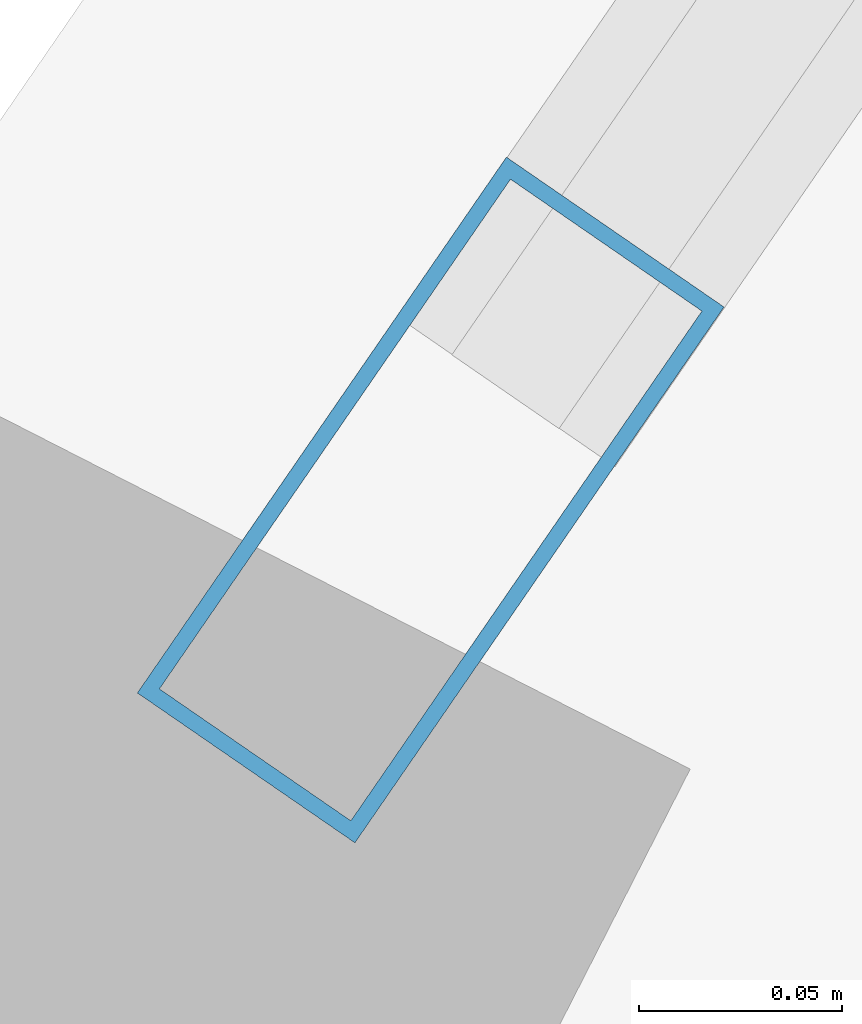
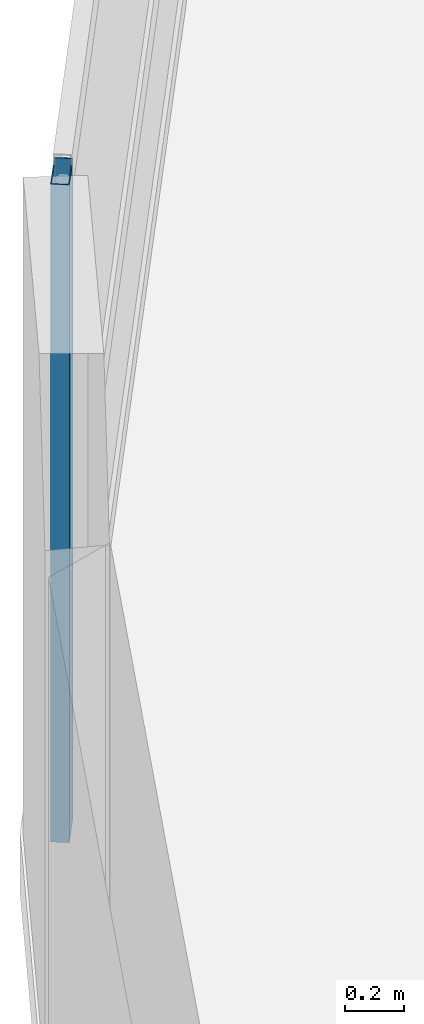
# One storey, part 2 of 25: 1 member, 1 element without a shape of its own.
"""IFC4 building model written with IfcOpenShell, lengths in metres."""

import ifcopenshell
import ifcopenshell.guid

model = None  # the IFC model being written
_history = None  # IfcOwnerHistory: only IFC2X3 demands one
_inside = {}  # id of a spatial element -> (the spatial element, [elements in it])
_under = {}  # id of a project, library or spatial element -> (it, [spatial elements below it])
_declared = {}  # id of a project -> (the project, [libraries it declares])
_typed = {}  # id of a type object -> (the type object, [elements of that type])
_made_of = {}  # id of a material, layer set ... -> (it, [elements and type objects made of it])


def new_model(schema):
    """Start an empty IFC model of exactly this schema.

    Asked for "IFC4X3", IfcOpenShell would pick the latest addendum, in which some entities
    have other attributes; the version numbers below select the first issue.
    IFC2X3 requires an IfcOwnerHistory on every rooted entity: one is made here for all.
    """
    global model, _history
    if schema == "IFC4X3":
        model = ifcopenshell.file(schema_version=(4, 3, 0, 0))
    else:
        model = ifcopenshell.file(schema=schema)
    _inside.clear()
    _under.clear()
    _declared.clear()
    _typed.clear()
    _made_of.clear()
    _history = None
    if model.schema == "IFC2X3":
        org = make("IfcOrganization", Name="unknown")
        user = make(
            "IfcPersonAndOrganization",
            ThePerson=make("IfcPerson", FamilyName="unknown"),
            TheOrganization=org,
        )
        app = make(
            "IfcApplication",
            ApplicationDeveloper=org,
            Version="unknown",
            ApplicationFullName="unknown",
            ApplicationIdentifier="unknown",
        )
        _history = make(
            "IfcOwnerHistory",
            OwningUser=user,
            OwningApplication=app,
            ChangeAction="ADDED",
            CreationDate=0,
        )
    return model


def make(cls, **values):
    """One entity of the class cls with the attributes given. An attribute that is None is left unset."""
    return model.create_entity(
        cls, **{name: value for name, value in values.items() if value is not None}
    )


def rooted(cls, **values):
    """An entity with a GlobalId (a new one), such as an element, a storey or a relation."""
    return make(cls, GlobalId=ifcopenshell.guid.new(), OwnerHistory=_history, **values)


def si_unit(unit_type, name, prefix=None):
    """IfcSIUnit, for example si_unit("LENGTHUNIT", "METRE", prefix="MILLI")."""
    return make("IfcSIUnit", UnitType=unit_type, Prefix=prefix, Name=name)


def assignment(units):
    """IfcUnitAssignment: the units of a project."""
    return None if units is None else make("IfcUnitAssignment", Units=units)


def point(xyz):
    """IfcCartesianPoint."""
    return None if xyz is None else make("IfcCartesianPoint", Coordinates=xyz)


def direction(xyz):
    """IfcDirection."""
    return None if xyz is None else make("IfcDirection", DirectionRatios=xyz)


def frame(location, z_axis=None, x_axis=None):
    """IfcAxis2Placement3D, a coordinate frame: its origin and axes. An axis left out is left unset."""
    return make(
        "IfcAxis2Placement3D",
        Location=point(location),
        Axis=direction(z_axis),
        RefDirection=direction(x_axis),
    )


def frame_2d(location, x_axis=None):
    """IfcAxis2Placement2D, a coordinate frame in the plane: its origin and x axis."""
    return make(
        "IfcAxis2Placement2D", Location=point(location), RefDirection=direction(x_axis)
    )


def origin():
    """The frame at (0, 0, 0) with its axes left unset."""
    return frame((0.0, 0.0, 0.0))


def origin_2d():
    """The frame at (0, 0) in the plane with its x axis left unset."""
    return frame_2d((0.0, 0.0))


def place(relative_to, where):
    """IfcLocalPlacement: puts the frame where relative to a parent placement (None: the world)."""
    return make(
        "IfcLocalPlacement", PlacementRelTo=relative_to, RelativePlacement=where
    )


def context(
    kind, dimensions, precision=None, world=None, true_north=None, identifier=None
):
    """IfcGeometricRepresentationContext, for example the 3D "Model" context."""
    return make(
        "IfcGeometricRepresentationContext",
        ContextIdentifier=identifier,
        ContextType=kind,
        CoordinateSpaceDimension=dimensions,
        Precision=precision,
        WorldCoordinateSystem=world,
        TrueNorth=true_north,
    )


def subcontext(parent, identifier, kind, view, scale=None):
    """IfcGeometricRepresentationSubContext, for example "Body" below "Model"."""
    return make(
        "IfcGeometricRepresentationSubContext",
        ContextIdentifier=identifier,
        ContextType=kind,
        ParentContext=parent,
        TargetScale=scale,
        TargetView=view,
    )


def project(units=None, contexts=None):
    """IfcProject with its units and contexts."""
    return rooted(
        "IfcProject",
        Name="project",
        RepresentationContexts=contexts,
        UnitsInContext=assignment(units),
    )


def spatial(cls, under=None, at=None, **own):
    """A site, building, storey or space (cls), placed at a placement, below another one or the project."""
    s = rooted(cls, ObjectPlacement=at, **own)
    if under is not None:
        _under.setdefault(under.id(), (under, []))[1].append(s)
    return s


def profile(cls, at=None, kind="AREA", **sizes):
    """A parametric profile (cls). Its sizes go by their IFC names, for example OverallWidth=200.0."""
    return make(cls, ProfileType=kind, Position=at, **sizes)


def hollow_rectangle(**sizes):
    """IfcRectangleHollowProfileDef."""
    return profile("IfcRectangleHollowProfileDef", **sizes)


def extrude(swept, where, along, depth):
    """IfcExtrudedAreaSolid: the profile swept, set in the frame where, extruded along a direction by depth."""
    return make(
        "IfcExtrudedAreaSolid",
        SweptArea=swept,
        Position=where,
        ExtrudedDirection=direction(along),
        Depth=depth,
    )


def shape(context_of_items, identifier, shape_type, items):
    """IfcShapeRepresentation: the items that make up one representation, for example the "Body"."""
    return make(
        "IfcShapeRepresentation",
        ContextOfItems=context_of_items,
        RepresentationIdentifier=identifier,
        RepresentationType=shape_type,
        Items=items,
    )


def material(Name=None, Category=None):
    """IfcMaterial."""
    return make("IfcMaterial", Name=Name, Category=Category)


def layer(
    of_material, thickness, ventilated=None, Name=None, Category=None, Priority=None
):
    """IfcMaterialLayer: one layer of a wall or slab, of a material (None: an air gap)."""
    return make(
        "IfcMaterialLayer",
        Material=of_material,
        LayerThickness=thickness,
        IsVentilated=ventilated,
        Name=Name,
        Category=Category,
        Priority=Priority,
    )


def layer_set(layers, Name=None):
    """IfcMaterialLayerSet."""
    return make("IfcMaterialLayerSet", MaterialLayers=layers, LayerSetName=Name)


def material_profile(
    of_material, cross_section, Name=None, Category=None, Priority=None
):
    """IfcMaterialProfile: a cross section and its material."""
    return make(
        "IfcMaterialProfile",
        Name=Name,
        Material=of_material,
        Profile=cross_section,
        Priority=Priority,
        Category=Category,
    )


def profile_set(profiles, Name=None, composite=None):
    """IfcMaterialProfileSet."""
    return make(
        "IfcMaterialProfileSet",
        Name=Name,
        MaterialProfiles=profiles,
        CompositeProfile=composite,
    )


def made_of(thing, what):
    """Note that an element or type object is made of a material, layer set ...; save() writes the relation."""
    if what is not None:
        _made_of.setdefault(what.id(), (what, []))[1].append(thing)
    return thing


def type_object(cls, material=None, **own):
    """A type object (cls), such as IfcWallType, which elements share."""
    return made_of(rooted(cls, **own), material)


def element(
    cls,
    number,
    at=None,
    inside=None,
    cuts=None,
    type_object=None,
    material=None,
    context=None,
    identifier="Body",
    shape_type=None,
    held_by="IfcProductDefinitionShape",
    body=None,
    shapes=None,
    **own,
):
    """One element of the class cls, such as IfcWall. Its Tag is "e" and its number.

    at: its placement. inside: the storey or other place that contains it. cuts: it is an
    opening in that element (IfcRelVoidsElement). A single representation is given by context,
    identifier, shape_type and body (its items); several are given by shapes. held_by: the class
    of the entity that holds the representations. save() writes the other relations.
    """
    e = rooted(cls, Tag="e%d" % number, ObjectPlacement=at, **own)
    if body is not None:
        shapes = [shape(context, identifier, shape_type, body)]
    if shapes is not None:
        e.Representation = make(held_by, Representations=shapes)
    if inside is not None:
        _inside.setdefault(inside.id(), (inside, []))[1].append(e)
    if cuts is not None:
        rooted(
            "IfcRelVoidsElement", RelatingBuildingElement=cuts, RelatedOpeningElement=e
        )
    if type_object is not None:
        _typed.setdefault(type_object.id(), (type_object, []))[1].append(e)
    return made_of(e, material)


def aggregate(whole, parts):
    """IfcRelAggregates: a whole, such as a stair, and the parts it consists of."""
    return rooted("IfcRelAggregates", RelatingObject=whole, RelatedObjects=parts)


def save(model, path):
    """Write the relations noted so far, then the file.

    IfcRelAggregates (storeys below a building ...), IfcRelContainedInSpatialStructure (elements
    in a storey), IfcRelDefinesByType, IfcRelAssociatesMaterial and IfcRelDeclares: one each for
    every whole, place, type object, material and project.
    """
    for whole, parts in _under.values():
        aggregate(whole, parts)
    for where, things in _inside.values():
        rooted(
            "IfcRelContainedInSpatialStructure",
            RelatedElements=things,
            RelatingStructure=where,
        )
    for kind, things in _typed.values():
        rooted("IfcRelDefinesByType", RelatedObjects=things, RelatingType=kind)
    for what, things in _made_of.values():
        rooted("IfcRelAssociatesMaterial", RelatedObjects=things, RelatingMaterial=what)
    for by, libraries in _declared.values():
        rooted("IfcRelDeclares", RelatingContext=by, RelatedDefinitions=libraries)
    model.write(path)


model = new_model("IFC4")

# Units and contexts
model_context = context("Model", 3, precision=1e-05, world=origin(), true_north=direction((0.0, 1.0)))
body_context = subcontext(model_context, "Body", "Model", "MODEL_VIEW")
ifc_project = project(units=[si_unit("LENGTHUNIT", "METRE"), si_unit("AREAUNIT", "SQUARE_METRE"), si_unit("VOLUMEUNIT", "CUBIC_METRE"), si_unit("PLANEANGLEUNIT", "RADIAN"), si_unit("MASSUNIT", "GRAM", prefix="KILO")], contexts=[model_context])

# Site, building, storey
site_placement = place(None, origin())
site = spatial("IfcSite", under=ifc_project, at=site_placement, CompositionType="ELEMENT")
building_placement = place(site_placement, origin())
building = spatial("IfcBuilding", under=site, at=building_placement, Name="Varnelok Gate Tower", CompositionType="ELEMENT")
storey_placement = place(building_placement, frame((0.0, 0.0, 64.0)))
storey = spatial("IfcBuildingStorey", under=building, at=storey_placement, Name="L15", CompositionType="ELEMENT", Elevation=64.0)

# Curtain wall, member
ifc_material = material(Name="Anodized Aluminum Alloy 6063-T6", Category="aluminium")
ifc_layer = layer(ifc_material, 0.179931640625)
ifc_layer_set = layer_set([ifc_layer], Name="Anodized Aluminum Alloy 6063-T6")
curtain_wall_type = type_object("IfcCurtainWallType", Name="CW3-HOTEL-VISION", PredefinedType="USERDEFINED", material=ifc_layer_set)
curtain_wall_placement = place(storey_placement, origin())
curtain_wall = element("IfcCurtainWall", 1, at=curtain_wall_placement, inside=storey, type_object=curtain_wall_type, Name="L15 West End Vision Curtain Wall", ObjectType="UNITISED CURTAIN WALL", PredefinedType="USERDEFINED")
ifc_material_profile = material_profile(ifc_material, hollow_rectangle(XDim=0.06494140625, YDim=0.159912109375, WallThickness=0.00390625, at=origin_2d()), Name="ALU160X65X4")
ifc_profile_set = profile_set([ifc_material_profile], Name="Anodized Aluminum Alloy 6063-T6")
member_type = type_object("IfcMemberType", Name="CW-MULL-160", PredefinedType="MULLION", material=ifc_profile_set)
member_placement = place(storey_placement, frame((-4.1240234375, 31.2607421875, 0.0), z_axis=(0.0, 0.0, 1.0), x_axis=(-0.823532685111, 0.567268822124, 0.0)))
member = element("IfcMember", 2, at=member_placement, type_object=member_type, Name="CW3 mullion 1", PredefinedType="MULLION", context=body_context, shape_type="SweptSolid", body=[
    extrude(hollow_rectangle(XDim=0.06494140625, YDim=0.159912109375, WallThickness=0.00390625, at=origin_2d()), origin(), (0.0, 0.0, 1.0), 2.72998046875),
])
aggregate(curtain_wall, [member])

save(model, "model.ifc")
